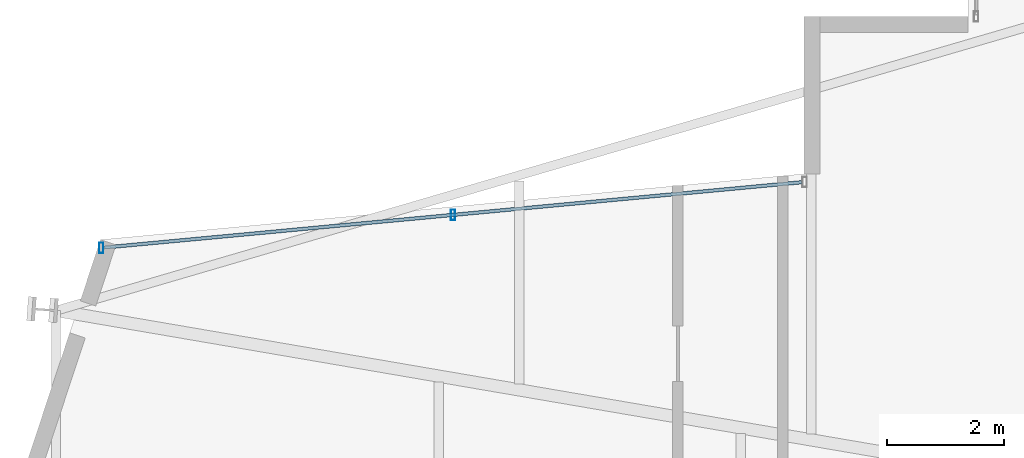
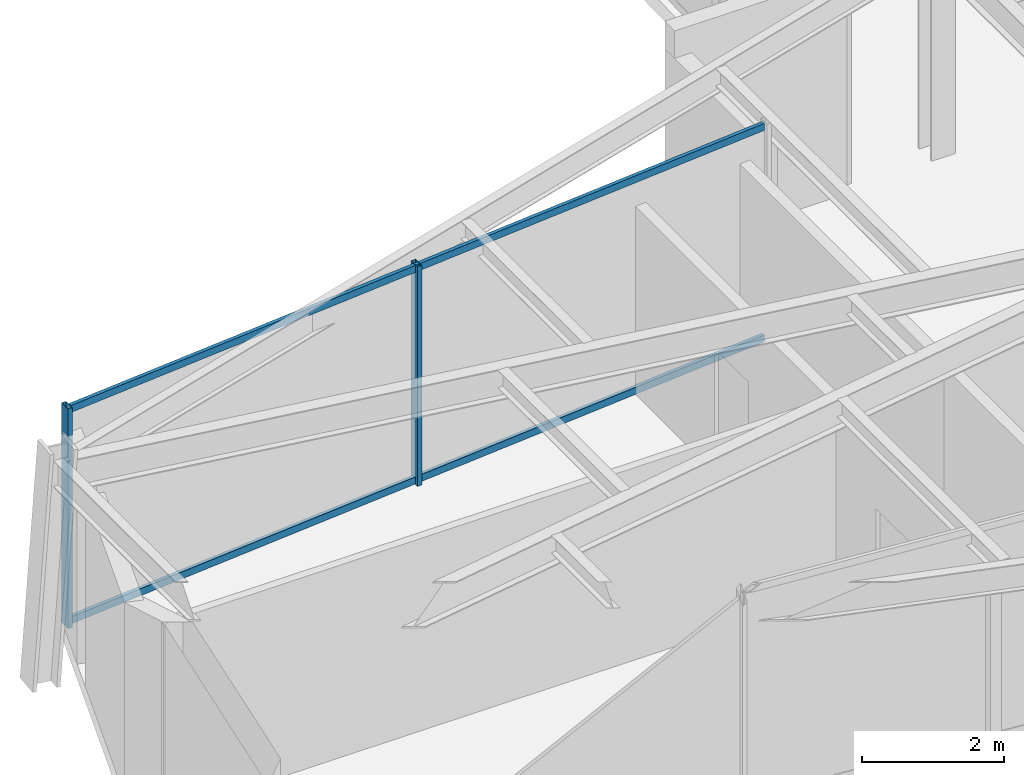
# One storey, part 9 of 23: 4 members, 1 element without a shape of its own.
"""IFC4 building model written with IfcOpenShell, lengths in metres."""

from ifc_helpers import new_model, si_unit, direction, frame, origin, origin_2d, place, context, subcontext, project, spatial, hollow_rectangle, extrude, material, layer, layer_set, material_profile, profile_set, type_object, element, aggregate, save


model = new_model("IFC4")

# Units and contexts
model_context = context("Model", 3, precision=1e-05, world=origin(), true_north=direction((0.0, 1.0)))
body_context = subcontext(model_context, "Body", "Model", "MODEL_VIEW")
ifc_project = project(units=[si_unit("LENGTHUNIT", "METRE"), si_unit("AREAUNIT", "SQUARE_METRE"), si_unit("VOLUMEUNIT", "CUBIC_METRE"), si_unit("PLANEANGLEUNIT", "RADIAN"), si_unit("MASSUNIT", "GRAM", prefix="KILO")], contexts=[model_context])

# Site, building, storey
site_placement = place(None, origin())
site = spatial("IfcSite", under=ifc_project, at=site_placement, CompositionType="ELEMENT")
building_placement = place(site_placement, origin())
building = spatial("IfcBuilding", under=site, at=building_placement, Name="Veymaron Broadcast Tower", CompositionType="ELEMENT")
storey_placement = place(building_placement, frame((0.0, 0.0, 224.25)))
storey = spatial("IfcBuildingStorey", under=building, at=storey_placement, Name="L52", CompositionType="ELEMENT", Elevation=224.25)

# Curtain wall, members
ifc_material_1 = material(Name="Anodised aluminium AA 6063-T6 and laminated low-E dark glass", Category="aluminium")
ifc_layer = layer(ifc_material_1, 0.179931640625)
ifc_layer_set = layer_set([ifc_layer], Name="Anodised aluminium AA 6063-T6 and laminated low-E dark glass")
curtain_wall_type = type_object("IfcCurtainWallType", Name="CW-SYS-05", PredefinedType="NOTDEFINED", material=ifc_layer_set)
curtain_wall_placement = place(storey_placement, origin())
curtain_wall = element("IfcCurtainWall", 1, at=curtain_wall_placement, inside=storey, type_object=curtain_wall_type, Name="L52 dark-glass curtain wall CW-L52-E11-1", PredefinedType="NOTDEFINED")
ifc_material_2 = material(Name="Anodised aluminium AA 6063-T6", Category="aluminium")
ifc_material_profile_1 = material_profile(ifc_material_2, hollow_rectangle(XDim=0.074951171875, YDim=0.179931640625, WallThickness=0.0048828125, at=origin_2d()), Name="AL180X75X5")
ifc_profile_set_1 = profile_set([ifc_material_profile_1], Name="Anodised aluminium AA 6063-T6")
member_type_1 = type_object("IfcMemberType", Name="CW-MUL-02", PredefinedType="MULLION", material=ifc_profile_set_1)
member_1_placement = place(storey_placement, frame((20.7431640625, 28.59619140625, 0.0), z_axis=(0.0, 0.0, 1.0), x_axis=(1.0, 0.0, 0.0)))
member_1 = element("IfcMember", 2, at=member_1_placement, type_object=member_type_1, Name="CW-L52-E11-1 mullion 1", PredefinedType="MULLION", context=body_context, shape_type="SweptSolid", body=[
    extrude(hollow_rectangle(XDim=0.074951171875, YDim=0.179931640625, WallThickness=0.0048828125, at=origin_2d()), origin(), (0.0, 0.0, 1.0), 3.7900390625),
])
member_2_placement = place(storey_placement, frame((14.713134765625, 28.03125, 0.0), z_axis=(0.0, 0.0, 1.0), x_axis=(1.0, 0.0, 0.0)))
member_2 = element("IfcMember", 3, at=member_2_placement, type_object=member_type_1, Name="CW-L52-E11-1 mullion 2", PredefinedType="MULLION", context=body_context, shape_type="SweptSolid", body=[
    extrude(hollow_rectangle(XDim=0.074951171875, YDim=0.179931640625, WallThickness=0.0048828125, at=origin_2d()), origin(), (0.0, 0.0, 1.0), 3.7900390625),
])
ifc_material_profile_2 = material_profile(ifc_material_2, hollow_rectangle(XDim=0.06005859375, YDim=0.1201171875, WallThickness=0.00390625, at=origin_2d()), Name="AL120X60X4")
ifc_profile_set_2 = profile_set([ifc_material_profile_2], Name="Anodised aluminium AA 6063-T6")
member_type_2 = type_object("IfcMemberType", Name="CW-TRN-02", PredefinedType="USERDEFINED", material=ifc_profile_set_2)
member_3_placement = place(storey_placement, frame((26.723388671875, 29.15625, 0.070068359375), z_axis=(-0.995641423823, -0.093263900672, 0.0), x_axis=(0.093263900672, -0.995641423823, 0.0)))
member_3 = element("IfcMember", 4, at=member_3_placement, type_object=member_type_2, Name="CW-L52-E11-1 transom B", ObjectType="TRANSOM", PredefinedType="USERDEFINED", context=body_context, shape_type="SweptSolid", body=[
    extrude(hollow_rectangle(XDim=0.06005859375, YDim=0.1201171875, WallThickness=0.00390625, at=origin_2d()), origin(), (0.0, 0.0, 1.0), 12.0126953125),
])
member_4_placement = place(storey_placement, frame((26.723388671875, 29.15625, 3.719970703125), z_axis=(-0.995641423823, -0.093263900672, 0.0), x_axis=(0.093263900672, -0.995641423823, 0.0)))
member_4 = element("IfcMember", 5, at=member_4_placement, type_object=member_type_2, Name="CW-L52-E11-1 transom T", ObjectType="TRANSOM", PredefinedType="USERDEFINED", context=body_context, shape_type="SweptSolid", body=[
    extrude(hollow_rectangle(XDim=0.06005859375, YDim=0.1201171875, WallThickness=0.00390625, at=origin_2d()), origin(), (0.0, 0.0, 1.0), 12.0126953125),
])
aggregate(curtain_wall, [member_1, member_2, member_3, member_4])

save(model, "model.ifc")
